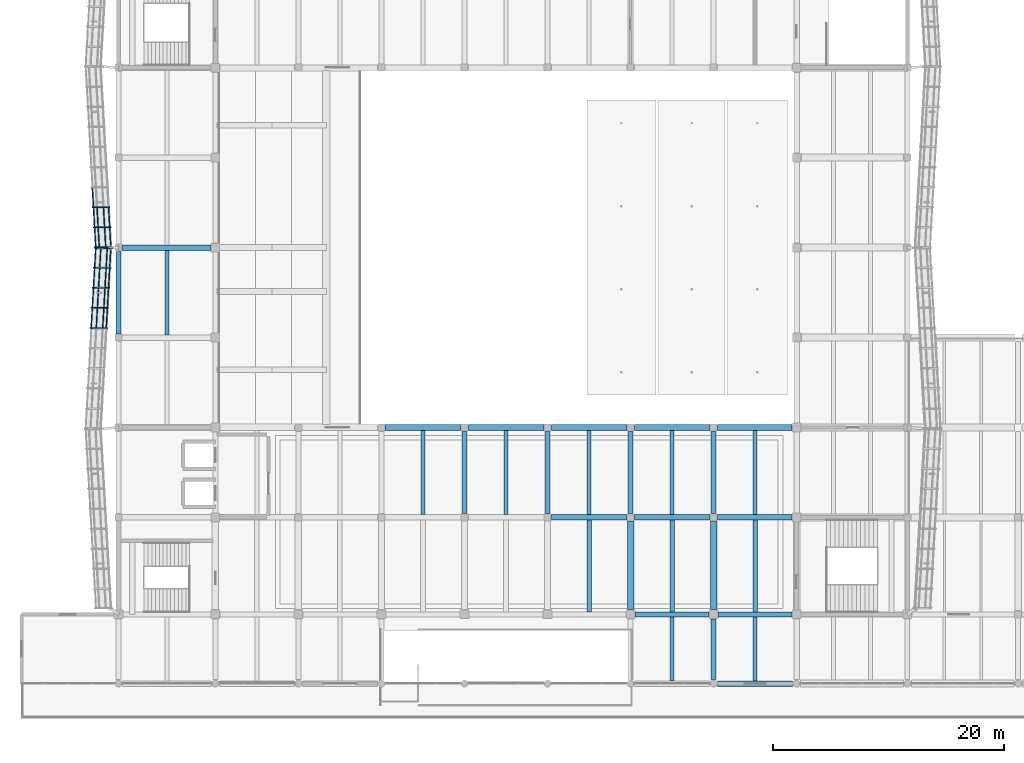
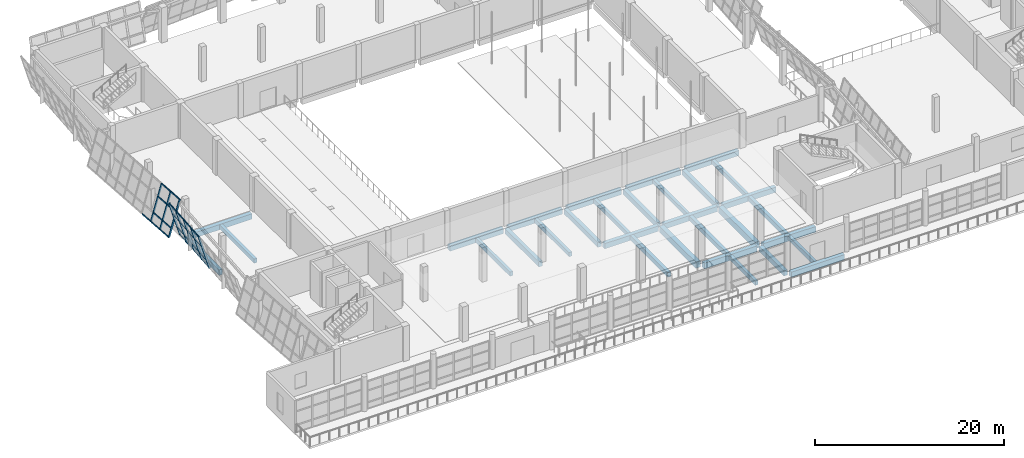
# One storey, part 12 of 71: 33 members, 31 beams, 2 elements without a shape of their own.
"""IFC4 building model written with IfcOpenShell, lengths in metres."""

from ifc_helpers import new_model, si_unit, direction, frame, origin, origin_2d, place, context, subcontext, project, spatial, rectangle, hollow_rectangle, extrude, material, material_profile, profile_set, type_object, element, aggregate, save


model = new_model("IFC4")

# Units and contexts
model_context = context("Model", 3, precision=1e-05, world=origin(), true_north=direction((0.0, 1.0)))
body_context = subcontext(model_context, "Body", "Model", "MODEL_VIEW")
ifc_project = project(units=[si_unit("LENGTHUNIT", "METRE"), si_unit("AREAUNIT", "SQUARE_METRE"), si_unit("VOLUMEUNIT", "CUBIC_METRE"), si_unit("PLANEANGLEUNIT", "RADIAN"), si_unit("MASSUNIT", "GRAM", prefix="KILO")], contexts=[model_context])

# Site, building, storey
site_placement = place(None, origin())
site = spatial("IfcSite", under=ifc_project, at=site_placement, CompositionType="ELEMENT")
building_placement = place(site_placement, origin())
building = spatial("IfcBuilding", under=site, at=building_placement, Name="Pellamere Symphony Hall", CompositionType="ELEMENT")
storey_placement = place(building_placement, frame((0.0, 0.0, 15.0)))
storey = spatial("IfcBuildingStorey", under=building, at=storey_placement, Name="L03", CompositionType="ELEMENT", Elevation=15.0)

# Curtain wall, members
ifc_material_1 = material(Name="Thermally Broken Anodised Aluminium 6063-T6 Curtain Wall", Category="aluminium")
curtain_wall_type = type_object("IfcCurtainWallType", Name="Curtain Wall CW-01 (Tilted Faceted Crystal Low-Iron Curtain Wall)", PredefinedType="NOTDEFINED", material=ifc_material_1)
curtain_wall_1_placement = place(storey_placement, origin())
curtain_wall_1 = element("IfcCurtainWall", 1, at=curtain_wall_1_placement, inside=storey, type_object=curtain_wall_type, Name="Crystal Faceted Curtain Wall CW-CR16 (L03)", PredefinedType="NOTDEFINED")
ifc_material_2 = material(Name="Anodised Architectural Aluminium 6063-T6", Category="aluminium")
ifc_material_profile_1 = material_profile(ifc_material_2, hollow_rectangle(XDim=0.074951171875, YDim=0.219970703125, WallThickness=0.0048828125, at=origin_2d()), Name="ALU-M75X220X5")
ifc_profile_set_1 = profile_set([ifc_material_profile_1], Name="Anodised Architectural Aluminium 6063-T6")
member_type_1 = type_object("IfcMemberType", Name="Curtain Wall Mullion ML-01 ALU-M75X220X5", PredefinedType="MULLION", material=ifc_profile_set_1)
member_1_placement = place(storey_placement, frame((48.217041015625, 65.288818359375, 0.0), z_axis=(0.284024567884, 0.0, 0.95881700279), x_axis=(-0.054873944304, 0.99836096977, 0.016254976991)))
member_1 = element("IfcMember", 2, at=member_1_placement, type_object=member_type_1, Name="CW1-045 crystal mullion 8", PredefinedType="MULLION", context=body_context, shape_type="SweptSolid", body=[
    extrude(hollow_rectangle(XDim=0.074951171875, YDim=0.219970703125, WallThickness=0.0048828125, at=origin_2d()), origin(), (0.0, 0.0, 1.0), 4.693359375),
])
member_2_placement = place(storey_placement, frame((48.31689453125, 63.54443359375, 0.0), z_axis=(0.284024567884, 0.0, 0.95881700279), x_axis=(-0.054873944304, 0.99836096977, 0.016254976991)))
member_2 = element("IfcMember", 3, at=member_2_placement, type_object=member_type_1, Name="CW1-045 crystal mullion 9", PredefinedType="MULLION", context=body_context, shape_type="SweptSolid", body=[
    extrude(hollow_rectangle(XDim=0.074951171875, YDim=0.219970703125, WallThickness=0.0048828125, at=origin_2d()), origin(), (0.0, 0.0, 1.0), 4.693359375),
])
member_3_placement = place(storey_placement, frame((48.414794921875, 61.83740234375, 0.0), z_axis=(0.284024567884, 0.0, 0.95881700279), x_axis=(-0.054873944304, 0.99836096977, 0.016254976991)))
member_3 = element("IfcMember", 4, at=member_3_placement, type_object=member_type_1, Name="CW1-045 crystal mullion 10", PredefinedType="MULLION", context=body_context, shape_type="SweptSolid", body=[
    extrude(hollow_rectangle(XDim=0.074951171875, YDim=0.219970703125, WallThickness=0.0048828125, at=origin_2d()), origin(), (0.0, 0.0, 1.0), 4.693359375),
])

curtain_wall_2_placement = place(storey_placement, origin())
curtain_wall_2 = element("IfcCurtainWall", 5, at=curtain_wall_2_placement, inside=storey, type_object=curtain_wall_type, Name="Crystal Faceted Curtain Wall CW-CR17 (L03)", PredefinedType="NOTDEFINED")
member_4_placement = place(storey_placement, frame((49.747802734375, 61.762451171875, 0.0), z_axis=(-0.284024567884, 0.0, 0.95881700279), x_axis=(-0.054873944304, -0.99836096977, -0.016254976991)))
member_4 = element("IfcMember", 6, at=member_4_placement, type_object=member_type_1, Name="CW1-050 crystal mullion 1", PredefinedType="MULLION", context=body_context, shape_type="SweptSolid", body=[
    extrude(hollow_rectangle(XDim=0.074951171875, YDim=0.219970703125, WallThickness=0.0048828125, at=origin_2d()), origin(), (0.0, 0.0, 1.0), 4.693359375),
])
member_5_placement = place(storey_placement, frame((49.64990234375, 60.0556640625, 0.0), z_axis=(-0.284024567884, 0.0, 0.95881700279), x_axis=(-0.054873944304, -0.99836096977, -0.016254976991)))
member_5 = element("IfcMember", 7, at=member_5_placement, type_object=member_type_1, Name="CW1-050 crystal mullion 2", PredefinedType="MULLION", context=body_context, shape_type="SweptSolid", body=[
    extrude(hollow_rectangle(XDim=0.074951171875, YDim=0.219970703125, WallThickness=0.0048828125, at=origin_2d()), origin(), (0.0, 0.0, 1.0), 4.693359375),
])
member_6_placement = place(storey_placement, frame((49.550048828125, 58.31103515625, 0.0), z_axis=(-0.284024567884, 0.0, 0.95881700279), x_axis=(-0.054873944304, -0.99836096977, -0.016254976991)))
member_6 = element("IfcMember", 8, at=member_6_placement, type_object=member_type_1, Name="CW1-050 crystal mullion 3", PredefinedType="MULLION", context=body_context, shape_type="SweptSolid", body=[
    extrude(hollow_rectangle(XDim=0.074951171875, YDim=0.219970703125, WallThickness=0.0048828125, at=origin_2d()), origin(), (0.0, 0.0, 1.0), 4.693359375),
])
member_7_placement = place(storey_placement, frame((49.449951171875, 56.566650390625, 0.0), z_axis=(-0.284024567884, 0.0, 0.95881700279), x_axis=(-0.054873944304, -0.99836096977, -0.016254976991)))
member_7 = element("IfcMember", 9, at=member_7_placement, type_object=member_type_1, Name="CW1-050 crystal mullion 4", PredefinedType="MULLION", context=body_context, shape_type="SweptSolid", body=[
    extrude(hollow_rectangle(XDim=0.074951171875, YDim=0.219970703125, WallThickness=0.0048828125, at=origin_2d()), origin(), (0.0, 0.0, 1.0), 4.693359375),
])
member_8_placement = place(storey_placement, frame((49.35009765625, 54.822265625, 0.0), z_axis=(-0.284024567884, 0.0, 0.95881700279), x_axis=(-0.054873944304, -0.99836096977, -0.016254976991)))
member_8 = element("IfcMember", 10, at=member_8_placement, type_object=member_type_1, Name="CW1-050 crystal mullion 5", PredefinedType="MULLION", context=body_context, shape_type="SweptSolid", body=[
    extrude(hollow_rectangle(XDim=0.074951171875, YDim=0.219970703125, WallThickness=0.0048828125, at=origin_2d()), origin(), (0.0, 0.0, 1.0), 4.693359375),
])

# Member
ifc_material_profile_2 = material_profile(ifc_material_2, hollow_rectangle(XDim=0.074951171875, YDim=0.179931640625, WallThickness=0.0048828125, at=origin_2d()), Name="ALU-T75X180X5")
ifc_profile_set_2 = profile_set([ifc_material_profile_2], Name="Anodised Architectural Aluminium 6063-T6")
member_type_2 = type_object("IfcMemberType", Name="Curtain Wall Transom TR-01 ALU-T75X180X5", PredefinedType="USERDEFINED", material=ifc_profile_set_2)
member_9_placement = place(storey_placement, frame((48.1298828125, 66.995849609375, 0.035888671875), z_axis=(0.057232737422, -0.998360863499, 0.0), x_axis=(0.998360863499, 0.057232737422, 0.0)))
member_9 = element("IfcMember", 11, at=member_9_placement, type_object=member_type_2, Name="CW1-045 crystal transom 7.1", ObjectType="TRANSOM", PredefinedType="USERDEFINED", context=body_context, shape_type="SweptSolid", body=[
    extrude(hollow_rectangle(XDim=0.074951171875, YDim=0.179931640625, WallThickness=0.0048828125, at=origin_2d()), origin(), (0.0, 0.0, 1.0), 1.672119140625),
])

member_10_placement = place(storey_placement, frame((48.229736328125, 65.25146484375, 0.035888671875), z_axis=(0.057224396245, -0.998361341637, 0.0), x_axis=(0.998361341637, 0.057224396245, 0.0)))
member_10 = element("IfcMember", 12, at=member_10_placement, type_object=member_type_2, Name="CW1-045 crystal transom 8.1", ObjectType="TRANSOM", PredefinedType="USERDEFINED", context=body_context, shape_type="SweptSolid", body=[
    extrude(hollow_rectangle(XDim=0.074951171875, YDim=0.179931640625, WallThickness=0.0048828125, at=origin_2d()), origin(), (0.0, 0.0, 1.0), 1.67236328125),
])

member_11_placement = place(storey_placement, frame((48.5390625, 65.25146484375, 1.080078125), z_axis=(0.057224396245, -0.998361341637, 0.0), x_axis=(0.998361341637, 0.057224396245, 0.0)))
member_11 = element("IfcMember", 13, at=member_11_placement, type_object=member_type_2, Name="CW1-045 crystal transom 8.2", ObjectType="TRANSOM", PredefinedType="USERDEFINED", context=body_context, shape_type="SweptSolid", body=[
    extrude(hollow_rectangle(XDim=0.074951171875, YDim=0.179931640625, WallThickness=0.0048828125, at=origin_2d()), origin(), (0.0, 0.0, 1.0), 1.67236328125),
])

member_12_placement = place(storey_placement, frame((49.098876953125, 65.25146484375, 2.969970703125), z_axis=(0.057224396245, -0.998361341637, 0.0), x_axis=(0.998361341637, 0.057224396245, 0.0)))
member_12 = element("IfcMember", 14, at=member_12_placement, type_object=member_type_2, Name="CW1-045 crystal transom 8.3", ObjectType="TRANSOM", PredefinedType="USERDEFINED", context=body_context, shape_type="SweptSolid", body=[
    extrude(hollow_rectangle(XDim=0.074951171875, YDim=0.179931640625, WallThickness=0.0048828125, at=origin_2d()), origin(), (0.0, 0.0, 1.0), 1.67236328125),
])

member_13_placement = place(storey_placement, frame((49.54150390625, 65.25146484375, 4.464111328125), z_axis=(0.057224396245, -0.998361341637, 0.0), x_axis=(0.998361341637, 0.057224396245, 0.0)))
member_13 = element("IfcMember", 15, at=member_13_placement, type_object=member_type_2, Name="CW1-045 crystal transom 8.4", ObjectType="TRANSOM", PredefinedType="USERDEFINED", context=body_context, shape_type="SweptSolid", body=[
    extrude(hollow_rectangle(XDim=0.074951171875, YDim=0.179931640625, WallThickness=0.0048828125, at=origin_2d()), origin(), (0.0, 0.0, 1.0), 1.67236328125),
])

member_14_placement = place(storey_placement, frame((48.329833984375, 63.507080078125, 0.035888671875), z_axis=(0.057190120561, -0.998363305671, 0.0), x_axis=(0.998363305671, 0.057190120561, 0.0)))
member_14 = element("IfcMember", 16, at=member_14_placement, type_object=member_type_2, Name="CW1-045 crystal transom 9.1", ObjectType="TRANSOM", PredefinedType="USERDEFINED", context=body_context, shape_type="SweptSolid", body=[
    extrude(hollow_rectangle(XDim=0.074951171875, YDim=0.179931640625, WallThickness=0.0048828125, at=origin_2d()), origin(), (0.0, 0.0, 1.0), 1.635009765625),
])

member_15_placement = place(storey_placement, frame((48.63916015625, 63.507080078125, 1.080078125), z_axis=(0.057190120561, -0.998363305671, 0.0), x_axis=(0.998363305671, 0.057190120561, 0.0)))
member_15 = element("IfcMember", 17, at=member_15_placement, type_object=member_type_2, Name="CW1-045 crystal transom 9.2", ObjectType="TRANSOM", PredefinedType="USERDEFINED", context=body_context, shape_type="SweptSolid", body=[
    extrude(hollow_rectangle(XDim=0.074951171875, YDim=0.179931640625, WallThickness=0.0048828125, at=origin_2d()), origin(), (0.0, 0.0, 1.0), 1.635009765625),
])

member_16_placement = place(storey_placement, frame((49.198974609375, 63.507080078125, 2.969970703125), z_axis=(0.057190120561, -0.998363305671, 0.0), x_axis=(0.998363305671, 0.057190120561, 0.0)))
member_16 = element("IfcMember", 18, at=member_16_placement, type_object=member_type_2, Name="CW1-045 crystal transom 9.3", ObjectType="TRANSOM", PredefinedType="USERDEFINED", context=body_context, shape_type="SweptSolid", body=[
    extrude(hollow_rectangle(XDim=0.074951171875, YDim=0.179931640625, WallThickness=0.0048828125, at=origin_2d()), origin(), (0.0, 0.0, 1.0), 1.635009765625),
])

member_17_placement = place(storey_placement, frame((49.6416015625, 63.507080078125, 4.464111328125), z_axis=(0.057190120561, -0.998363305671, 0.0), x_axis=(0.998363305671, 0.057190120561, 0.0)))
member_17 = element("IfcMember", 19, at=member_17_placement, type_object=member_type_2, Name="CW1-045 crystal transom 9.4", ObjectType="TRANSOM", PredefinedType="USERDEFINED", context=body_context, shape_type="SweptSolid", body=[
    extrude(hollow_rectangle(XDim=0.074951171875, YDim=0.179931640625, WallThickness=0.0048828125, at=origin_2d()), origin(), (0.0, 0.0, 1.0), 1.635009765625),
])

aggregate(curtain_wall_1, [member_1, member_2, member_3, member_9, member_10, member_11, member_12, member_13, member_14, member_15, member_16, member_17])

member_18_placement = place(storey_placement, frame((49.735107421875, 61.72509765625, 0.035888671875), z_axis=(-0.057198647566, -0.998362817175, 0.0), x_axis=(0.998362817175, -0.057198647566, 0.0)))
member_18 = element("IfcMember", 20, at=member_18_placement, type_object=member_type_2, Name="CW1-050 crystal transom 1.1", ObjectType="TRANSOM", PredefinedType="USERDEFINED", context=body_context, shape_type="SweptSolid", body=[
    extrude(hollow_rectangle(XDim=0.074951171875, YDim=0.179931640625, WallThickness=0.0048828125, at=origin_2d()), origin(), (0.0, 0.0, 1.0), 1.634765625),
])

member_19_placement = place(storey_placement, frame((49.42578125, 61.72509765625, 1.080078125), z_axis=(-0.057198647566, -0.998362817175, 0.0), x_axis=(0.998362817175, -0.057198647566, 0.0)))
member_19 = element("IfcMember", 21, at=member_19_placement, type_object=member_type_2, Name="CW1-050 crystal transom 1.2", ObjectType="TRANSOM", PredefinedType="USERDEFINED", context=body_context, shape_type="SweptSolid", body=[
    extrude(hollow_rectangle(XDim=0.074951171875, YDim=0.179931640625, WallThickness=0.0048828125, at=origin_2d()), origin(), (0.0, 0.0, 1.0), 1.634765625),
])

member_20_placement = place(storey_placement, frame((48.865966796875, 61.72509765625, 2.969970703125), z_axis=(-0.057198647566, -0.998362817175, 0.0), x_axis=(0.998362817175, -0.057198647566, 0.0)))
member_20 = element("IfcMember", 22, at=member_20_placement, type_object=member_type_2, Name="CW1-050 crystal transom 1.3", ObjectType="TRANSOM", PredefinedType="USERDEFINED", context=body_context, shape_type="SweptSolid", body=[
    extrude(hollow_rectangle(XDim=0.074951171875, YDim=0.179931640625, WallThickness=0.0048828125, at=origin_2d()), origin(), (0.0, 0.0, 1.0), 1.634765625),
])

member_21_placement = place(storey_placement, frame((48.42333984375, 61.72509765625, 4.464111328125), z_axis=(-0.057198647566, -0.998362817175, 0.0), x_axis=(0.998362817175, -0.057198647566, 0.0)))
member_21 = element("IfcMember", 23, at=member_21_placement, type_object=member_type_2, Name="CW1-050 crystal transom 1.4", ObjectType="TRANSOM", PredefinedType="USERDEFINED", context=body_context, shape_type="SweptSolid", body=[
    extrude(hollow_rectangle(XDim=0.074951171875, YDim=0.179931640625, WallThickness=0.0048828125, at=origin_2d()), origin(), (0.0, 0.0, 1.0), 1.634765625),
])

member_22_placement = place(storey_placement, frame((49.63720703125, 60.01806640625, 0.035888671875), z_axis=(-0.057232737422, -0.998360863499, 0.0), x_axis=(0.998360863499, -0.057232737422, 0.0)))
member_22 = element("IfcMember", 24, at=member_22_placement, type_object=member_type_2, Name="CW1-050 crystal transom 2.1", ObjectType="TRANSOM", PredefinedType="USERDEFINED", context=body_context, shape_type="SweptSolid", body=[
    extrude(hollow_rectangle(XDim=0.074951171875, YDim=0.179931640625, WallThickness=0.0048828125, at=origin_2d()), origin(), (0.0, 0.0, 1.0), 1.672119140625),
])

member_23_placement = place(storey_placement, frame((49.327880859375, 60.01806640625, 1.080078125), z_axis=(-0.057232737422, -0.998360863499, 0.0), x_axis=(0.998360863499, -0.057232737422, 0.0)))
member_23 = element("IfcMember", 25, at=member_23_placement, type_object=member_type_2, Name="CW1-050 crystal transom 2.2", ObjectType="TRANSOM", PredefinedType="USERDEFINED", context=body_context, shape_type="SweptSolid", body=[
    extrude(hollow_rectangle(XDim=0.074951171875, YDim=0.179931640625, WallThickness=0.0048828125, at=origin_2d()), origin(), (0.0, 0.0, 1.0), 1.672119140625),
])

member_24_placement = place(storey_placement, frame((48.76806640625, 60.01806640625, 2.969970703125), z_axis=(-0.057232737422, -0.998360863499, 0.0), x_axis=(0.998360863499, -0.057232737422, 0.0)))
member_24 = element("IfcMember", 26, at=member_24_placement, type_object=member_type_2, Name="CW1-050 crystal transom 2.3", ObjectType="TRANSOM", PredefinedType="USERDEFINED", context=body_context, shape_type="SweptSolid", body=[
    extrude(hollow_rectangle(XDim=0.074951171875, YDim=0.179931640625, WallThickness=0.0048828125, at=origin_2d()), origin(), (0.0, 0.0, 1.0), 1.672119140625),
])

member_25_placement = place(storey_placement, frame((48.325439453125, 60.01806640625, 4.464111328125), z_axis=(-0.057232737422, -0.998360863499, 0.0), x_axis=(0.998360863499, -0.057232737422, 0.0)))
member_25 = element("IfcMember", 27, at=member_25_placement, type_object=member_type_2, Name="CW1-050 crystal transom 2.4", ObjectType="TRANSOM", PredefinedType="USERDEFINED", context=body_context, shape_type="SweptSolid", body=[
    extrude(hollow_rectangle(XDim=0.074951171875, YDim=0.179931640625, WallThickness=0.0048828125, at=origin_2d()), origin(), (0.0, 0.0, 1.0), 1.672119140625),
])

member_26_placement = place(storey_placement, frame((49.537109375, 58.273681640625, 0.035888671875), z_axis=(-0.057224396245, -0.998361341637, 0.0), x_axis=(0.998361341637, -0.057224396245, 0.0)))
member_26 = element("IfcMember", 28, at=member_26_placement, type_object=member_type_2, Name="CW1-050 crystal transom 3.1", ObjectType="TRANSOM", PredefinedType="USERDEFINED", context=body_context, shape_type="SweptSolid", body=[
    extrude(hollow_rectangle(XDim=0.074951171875, YDim=0.179931640625, WallThickness=0.0048828125, at=origin_2d()), origin(), (0.0, 0.0, 1.0), 1.67236328125),
])

member_27_placement = place(storey_placement, frame((49.22802734375, 58.273681640625, 1.080078125), z_axis=(-0.057224396245, -0.998361341637, 0.0), x_axis=(0.998361341637, -0.057224396245, 0.0)))
member_27 = element("IfcMember", 29, at=member_27_placement, type_object=member_type_2, Name="CW1-050 crystal transom 3.2", ObjectType="TRANSOM", PredefinedType="USERDEFINED", context=body_context, shape_type="SweptSolid", body=[
    extrude(hollow_rectangle(XDim=0.074951171875, YDim=0.179931640625, WallThickness=0.0048828125, at=origin_2d()), origin(), (0.0, 0.0, 1.0), 1.67236328125),
])

member_28_placement = place(storey_placement, frame((48.66796875, 58.273681640625, 2.969970703125), z_axis=(-0.057224396245, -0.998361341637, 0.0), x_axis=(0.998361341637, -0.057224396245, 0.0)))
member_28 = element("IfcMember", 30, at=member_28_placement, type_object=member_type_2, Name="CW1-050 crystal transom 3.3", ObjectType="TRANSOM", PredefinedType="USERDEFINED", context=body_context, shape_type="SweptSolid", body=[
    extrude(hollow_rectangle(XDim=0.074951171875, YDim=0.179931640625, WallThickness=0.0048828125, at=origin_2d()), origin(), (0.0, 0.0, 1.0), 1.67236328125),
])

member_29_placement = place(storey_placement, frame((48.2255859375, 58.273681640625, 4.464111328125), z_axis=(-0.057224396245, -0.998361341637, 0.0), x_axis=(0.998361341637, -0.057224396245, 0.0)))
member_29 = element("IfcMember", 31, at=member_29_placement, type_object=member_type_2, Name="CW1-050 crystal transom 3.4", ObjectType="TRANSOM", PredefinedType="USERDEFINED", context=body_context, shape_type="SweptSolid", body=[
    extrude(hollow_rectangle(XDim=0.074951171875, YDim=0.179931640625, WallThickness=0.0048828125, at=origin_2d()), origin(), (0.0, 0.0, 1.0), 1.67236328125),
])

member_30_placement = place(storey_placement, frame((49.437255859375, 56.529296875, 0.035888671875), z_axis=(-0.057224396245, -0.998361341637, 0.0), x_axis=(0.998361341637, -0.057224396245, 0.0)))
member_30 = element("IfcMember", 32, at=member_30_placement, type_object=member_type_2, Name="CW1-050 crystal transom 4.1", ObjectType="TRANSOM", PredefinedType="USERDEFINED", context=body_context, shape_type="SweptSolid", body=[
    extrude(hollow_rectangle(XDim=0.074951171875, YDim=0.179931640625, WallThickness=0.0048828125, at=origin_2d()), origin(), (0.0, 0.0, 1.0), 1.67236328125),
])

member_31_placement = place(storey_placement, frame((49.1279296875, 56.529296875, 1.080078125), z_axis=(-0.057224396245, -0.998361341637, 0.0), x_axis=(0.998361341637, -0.057224396245, 0.0)))
member_31 = element("IfcMember", 33, at=member_31_placement, type_object=member_type_2, Name="CW1-050 crystal transom 4.2", ObjectType="TRANSOM", PredefinedType="USERDEFINED", context=body_context, shape_type="SweptSolid", body=[
    extrude(hollow_rectangle(XDim=0.074951171875, YDim=0.179931640625, WallThickness=0.0048828125, at=origin_2d()), origin(), (0.0, 0.0, 1.0), 1.67236328125),
])

member_32_placement = place(storey_placement, frame((48.568115234375, 56.529296875, 2.969970703125), z_axis=(-0.057224396245, -0.998361341637, 0.0), x_axis=(0.998361341637, -0.057224396245, 0.0)))
member_32 = element("IfcMember", 34, at=member_32_placement, type_object=member_type_2, Name="CW1-050 crystal transom 4.3", ObjectType="TRANSOM", PredefinedType="USERDEFINED", context=body_context, shape_type="SweptSolid", body=[
    extrude(hollow_rectangle(XDim=0.074951171875, YDim=0.179931640625, WallThickness=0.0048828125, at=origin_2d()), origin(), (0.0, 0.0, 1.0), 1.67236328125),
])

member_33_placement = place(storey_placement, frame((48.12548828125, 56.529296875, 4.464111328125), z_axis=(-0.057224396245, -0.998361341637, 0.0), x_axis=(0.998361341637, -0.057224396245, 0.0)))
member_33 = element("IfcMember", 35, at=member_33_placement, type_object=member_type_2, Name="CW1-050 crystal transom 4.4", ObjectType="TRANSOM", PredefinedType="USERDEFINED", context=body_context, shape_type="SweptSolid", body=[
    extrude(hollow_rectangle(XDim=0.074951171875, YDim=0.179931640625, WallThickness=0.0048828125, at=origin_2d()), origin(), (0.0, 0.0, 1.0), 1.67236328125),
])

aggregate(curtain_wall_2, [member_4, member_5, member_6, member_7, member_8, member_18, member_19, member_20, member_21, member_22, member_23, member_24, member_25, member_26, member_27, member_28, member_29, member_30, member_31, member_32, member_33])

# Beams
ifc_material_3 = material(Name="Concrete 40 MPa", Category="concrete")
ifc_material_profile_3 = material_profile(ifc_material_3, rectangle(XDim=0.550048828125, YDim=0.800048828125, at=origin_2d()), Name="RC 550x800")
ifc_profile_set_3 = profile_set([ifc_material_profile_3], Name="Concrete 40 MPa")
beam_type_1 = type_object("IfcBeamType", Name="RC CB-05 550x800", PredefinedType="BEAM", material=ifc_profile_set_3)
for number, where, z_axis, x_axis, name in (
    (36, (94.800048828125, 30.39990234375, -0.659912109375), (0.0, 1.0, 0.0), (-1.0, 0.0, 0.0), "Girder CB-05-Y1640 (L03)"),
    (37, (102.0, 30.39990234375, -0.659912109375), (0.0, 1.0, 0.0), (-1.0, 0.0, 0.0), "Girder CB-05-Y1645 (L03)"),
):
    element("IfcBeam", number, at=place(storey_placement, frame(where, z_axis=z_axis, x_axis=x_axis)), inside=storey, type_object=beam_type_1, Name=name, PredefinedType="BEAM", context=body_context, shape_type="SweptSolid", body=[
        extrude(rectangle(XDim=0.550048828125, YDim=0.800048828125, at=origin_2d()), origin(), (0.0, 0.0, 1.0), 7.675048828125),
    ])
ifc_material_profile_4 = material_profile(ifc_material_3, rectangle(XDim=0.449951171875, YDim=0.64990234375, at=origin_2d()), Name="RC 450x650")
ifc_profile_set_4 = profile_set([ifc_material_profile_4], Name="Concrete 40 MPa")
beam_type_2 = type_object("IfcBeamType", Name="RC CB-08 450x650", PredefinedType="BEAM", material=ifc_profile_set_4)
for number, where, z_axis, x_axis, name in (
    (38, (80.39990234375, 38.72509765625, -0.5849609375), (0.0, 1.0, 0.0), (-1.0, 0.0, 0.0), "Girder CB-08-Y1632 (L03)"),
    (39, (87.60009765625, 38.72509765625, -0.5849609375), (0.0, 1.0, 0.0), (-1.0, 0.0, 0.0), "Girder CB-08-Y1636 (L03)"),
    (40, (94.800048828125, 38.72509765625, -0.5849609375), (0.0, 1.0, 0.0), (-1.0, 0.0, 0.0), "Girder CB-08-Y1641 (L03)"),
):
    element("IfcBeam", number, at=place(storey_placement, frame(where, z_axis=z_axis, x_axis=x_axis)), inside=storey, type_object=beam_type_2, Name=name, PredefinedType="BEAM", context=body_context, shape_type="SweptSolid", body=[
        extrude(rectangle(XDim=0.449951171875, YDim=0.64990234375, at=origin_2d()), origin(), (0.0, 0.0, 1.0), 7.14990234375),
    ])
beam_1_placement = place(storey_placement, frame((102.0, 24.35009765625, -0.5849609375), z_axis=(0.0, 1.0, 0.0), x_axis=(-1.0, 0.0, 0.0)))
element("IfcBeam", 41, at=beam_1_placement, inside=storey, type_object=beam_type_2, Name="Girder CB-08-Y1644 (L03)", PredefinedType="BEAM", context=body_context, shape_type="SweptSolid", body=[
    extrude(rectangle(XDim=0.449951171875, YDim=0.64990234375, at=origin_2d()), origin(), (0.0, 0.0, 1.0), 5.25),
])
beam_2_placement = place(storey_placement, frame((102.0, 38.72509765625, -0.5849609375), z_axis=(0.0, 1.0, 0.0), x_axis=(-1.0, 0.0, 0.0)))
element("IfcBeam", 42, at=beam_2_placement, inside=storey, type_object=beam_type_2, Name="Girder CB-08-Y1646 (L03)", PredefinedType="BEAM", context=body_context, shape_type="SweptSolid", body=[
    extrude(rectangle(XDim=0.449951171875, YDim=0.64990234375, at=origin_2d()), origin(), (0.0, 0.0, 1.0), 7.14990234375),
])
ifc_material_profile_5 = material_profile(ifc_material_3, rectangle(XDim=0.39990234375, YDim=0.60009765625, at=origin_2d()), Name="RC 400x600")
ifc_profile_set_5 = profile_set([ifc_material_profile_5], Name="Concrete 40 MPa")
beam_type_3 = type_object("IfcBeamType", Name="RC CB-09 400x600", PredefinedType="BEAM", material=ifc_profile_set_5)
for number, where, z_axis, x_axis, name in (
    (43, (91.199951171875, 30.22509765625, -0.574951171875), (0.0, 1.0, 0.0), (-1.0, 0.0, 0.0), "Secondary Floor Beam CB-09-M1104 (L03)"),
    (44, (98.39990234375, 30.22509765625, -0.574951171875), (0.0, 1.0, 0.0), (-1.0, 0.0, 0.0), "Secondary Floor Beam CB-09-M1204 (L03)"),
    (45, (105.60009765625, 30.22509765625, -0.574951171875), (0.0, 1.0, 0.0), (-1.0, 0.0, 0.0), "Secondary Floor Beam CB-09-M1304 (L03)"),
):
    element("IfcBeam", number, at=place(storey_placement, frame(where, z_axis=z_axis, x_axis=x_axis)), inside=storey, type_object=beam_type_3, Name=name, PredefinedType="BEAM", context=body_context, shape_type="SweptSolid", body=[
        extrude(rectangle(XDim=0.39990234375, YDim=0.60009765625, at=origin_2d()), origin(), (0.0, 0.0, 1.0), 7.934814453125),
    ])
ifc_material_4 = material(Name="Concrete 35 MPa", Category="concrete")
ifc_material_profile_6 = material_profile(ifc_material_4, rectangle(XDim=0.35009765625, YDim=0.550048828125, at=origin_2d()), Name="RC 350x550")
ifc_profile_set_6 = profile_set([ifc_material_profile_6], Name="Concrete 35 MPa")
beam_type_4 = type_object("IfcBeamType", Name="RC CB-10 350x550", PredefinedType="BEAM", material=ifc_profile_set_6)
for number, where, z_axis, x_axis, name in (
    (46, (54.60009765625, 54.239990234375, -0.550048828125), (0.0, 1.0, 0.0), (-1.0, 0.0, 0.0), "Secondary Floor Beam CB-10-M0607 (L03)"),
    (47, (76.800048828125, 38.639892578125, -0.550048828125), (0.0, 1.0, 0.0), (-1.0, 0.0, 0.0), "Secondary Floor Beam CB-10-M0905 (L03)"),
    (48, (84.0, 38.639892578125, -0.550048828125), (0.0, 1.0, 0.0), (-1.0, 0.0, 0.0), "Secondary Floor Beam CB-10-M1005 (L03)"),
    (49, (91.199951171875, 38.639892578125, -0.550048828125), (0.0, 1.0, 0.0), (-1.0, 0.0, 0.0), "Secondary Floor Beam CB-10-M1105 (L03)"),
):
    element("IfcBeam", number, at=place(storey_placement, frame(where, z_axis=z_axis, x_axis=x_axis)), inside=storey, type_object=beam_type_4, Name=name, PredefinedType="BEAM", context=body_context, shape_type="SweptSolid", body=[
        extrude(rectangle(XDim=0.35009765625, YDim=0.550048828125, at=origin_2d()), origin(), (0.0, 0.0, 1.0), 7.320068359375),
    ])
beam_3_placement = place(storey_placement, frame((98.39990234375, 24.239990234375, -0.550048828125), z_axis=(0.0, 1.0, 0.0), x_axis=(-1.0, 0.0, 0.0)))
element("IfcBeam", 50, at=beam_3_placement, inside=storey, type_object=beam_type_4, Name="Secondary Floor Beam CB-10-M1203 (L03)", PredefinedType="BEAM", context=body_context, shape_type="SweptSolid", body=[
    extrude(rectangle(XDim=0.35009765625, YDim=0.550048828125, at=origin_2d()), origin(), (0.0, 0.0, 1.0), 5.534912109375),
])
beam_4_placement = place(storey_placement, frame((98.39990234375, 38.639892578125, -0.550048828125), z_axis=(0.0, 1.0, 0.0), x_axis=(-1.0, 0.0, 0.0)))
element("IfcBeam", 51, at=beam_4_placement, inside=storey, type_object=beam_type_4, Name="Secondary Floor Beam CB-10-M1205 (L03)", PredefinedType="BEAM", context=body_context, shape_type="SweptSolid", body=[
    extrude(rectangle(XDim=0.35009765625, YDim=0.550048828125, at=origin_2d()), origin(), (0.0, 0.0, 1.0), 7.320068359375),
])
beam_5_placement = place(storey_placement, frame((105.60009765625, 24.239990234375, -0.550048828125), z_axis=(0.0, 1.0, 0.0), x_axis=(-1.0, 0.0, 0.0)))
element("IfcBeam", 52, at=beam_5_placement, inside=storey, type_object=beam_type_4, Name="Secondary Floor Beam CB-10-M1303 (L03)", PredefinedType="BEAM", context=body_context, shape_type="SweptSolid", body=[
    extrude(rectangle(XDim=0.35009765625, YDim=0.550048828125, at=origin_2d()), origin(), (0.0, 0.0, 1.0), 5.534912109375),
])
beam_6_placement = place(storey_placement, frame((105.60009765625, 38.639892578125, -0.550048828125), z_axis=(0.0, 1.0, 0.0), x_axis=(-1.0, 0.0, 0.0)))
element("IfcBeam", 53, at=beam_6_placement, inside=storey, type_object=beam_type_4, Name="Secondary Floor Beam CB-10-M1305 (L03)", PredefinedType="BEAM", context=body_context, shape_type="SweptSolid", body=[
    extrude(rectangle(XDim=0.35009765625, YDim=0.550048828125, at=origin_2d()), origin(), (0.0, 0.0, 1.0), 7.320068359375),
])
ifc_material_profile_7 = material_profile(ifc_material_3, rectangle(XDim=0.449951171875, YDim=0.75, at=origin_2d()), Name="RC 450x750")
ifc_profile_set_7 = profile_set([ifc_material_profile_7], Name="Concrete 40 MPa")
beam_type_5 = type_object("IfcBeamType", Name="RC CB-12 450x750", PredefinedType="SPANDREL", material=ifc_profile_set_7)
for number, where, z_axis, x_axis, name in (
    (54, (95.199951171875, 30.0, -0.635009765625), (1.0, 0.0, 0.0), (0.0, 1.0, 0.0), "Girder CB-12-X1512 (L03)"),
    (55, (102.39990234375, 30.0, -0.635009765625), (1.0, 0.0, 0.0), (0.0, 1.0, 0.0), "Girder CB-12-X1513 (L03)"),
):
    element("IfcBeam", number, at=place(storey_placement, frame(where, z_axis=z_axis, x_axis=x_axis)), inside=storey, type_object=beam_type_5, Name=name, PredefinedType="SPANDREL", context=body_context, shape_type="SweptSolid", body=[
        extrude(rectangle(XDim=0.449951171875, YDim=0.75, at=origin_2d()), origin(), (0.0, 0.0, 1.0), 6.400146484375),
    ])
ifc_material_profile_8 = material_profile(ifc_material_3, rectangle(XDim=0.39990234375, YDim=0.699951171875, at=origin_2d()), Name="RC 400x700")
ifc_profile_set_8 = profile_set([ifc_material_profile_8], Name="Concrete 40 MPa")
beam_type_6 = type_object("IfcBeamType", Name="RC CB-13 400x700", PredefinedType="SPANDREL", material=ifc_profile_set_8)
beam_7_placement = place(storey_placement, frame((50.39990234375, 54.324951171875, -0.610107421875), z_axis=(0.0, 1.0, 0.0), x_axis=(-1.0, 0.0, 0.0)))
element("IfcBeam", 56, at=beam_7_placement, inside=storey, type_object=beam_type_6, Name="Girder CB-13-Y1609 (L03)", PredefinedType="SPANDREL", context=body_context, shape_type="SweptSolid", body=[
    extrude(rectangle(XDim=0.39990234375, YDim=0.699951171875, at=origin_2d()), origin(), (0.0, 0.0, 1.0), 7.150146484375),
])
ifc_material_profile_9 = material_profile(ifc_material_3, rectangle(XDim=0.47998046875, YDim=0.679931640625, at=origin_2d()), Name="RC 480x680")
ifc_profile_set_9 = profile_set([ifc_material_profile_9], Name="Concrete 40 MPa")
beam_type_7 = type_object("IfcBeamType", Name="RC CB-19 480x680", PredefinedType="BEAM", material=ifc_profile_set_9)
beam_8_placement = place(storey_placement, frame((102.35009765625, 24.0, -0.60009765625), z_axis=(1.0, 0.0, 0.0), x_axis=(0.0, 1.0, 0.0)))
element("IfcBeam", 57, at=beam_8_placement, inside=storey, type_object=beam_type_7, Name="Girder CB-19-X1498 (L03)", PredefinedType="BEAM", context=body_context, shape_type="SweptSolid", body=[
    extrude(rectangle(XDim=0.47998046875, YDim=0.679931640625, at=origin_2d()), origin(), (0.0, 0.0, 1.0), 6.5),
])
for number, where, z_axis, x_axis, name in (
    (58, (87.925048828125, 38.39990234375, -0.60009765625), (1.0, 0.0, 0.0), (0.0, 1.0, 0.0), "Girder CB-19-X1526 (L03)"),
    (59, (95.125, 38.39990234375, -0.60009765625), (1.0, 0.0, 0.0), (0.0, 1.0, 0.0), "Girder CB-19-X1527 (L03)"),
):
    element("IfcBeam", number, at=place(storey_placement, frame(where, z_axis=z_axis, x_axis=x_axis)), inside=storey, type_object=beam_type_7, Name=name, PredefinedType="BEAM", context=body_context, shape_type="SweptSolid", body=[
        extrude(rectangle(XDim=0.47998046875, YDim=0.679931640625, at=origin_2d()), origin(), (0.0, 0.0, 1.0), 6.550048828125),
    ])
beam_9_placement = place(storey_placement, frame((102.324951171875, 38.39990234375, -0.60009765625), z_axis=(1.0, 0.0, 0.0), x_axis=(0.0, 1.0, 0.0)))
element("IfcBeam", 60, at=beam_9_placement, inside=storey, type_object=beam_type_7, Name="Girder CB-19-X1528 (L03)", PredefinedType="BEAM", context=body_context, shape_type="SweptSolid", body=[
    extrude(rectangle(XDim=0.47998046875, YDim=0.679931640625, at=origin_2d()), origin(), (0.0, 0.0, 1.0), 6.47509765625),
])
beam_10_placement = place(storey_placement, frame((73.52490234375, 46.199951171875, -0.60009765625), z_axis=(1.0, 0.0, 0.0), x_axis=(0.0, 1.0, 0.0)))
element("IfcBeam", 61, at=beam_10_placement, inside=storey, type_object=beam_type_7, Name="Girder CB-19-X1539 (L03)", PredefinedType="BEAM", context=body_context, shape_type="SweptSolid", body=[
    extrude(rectangle(XDim=0.47998046875, YDim=0.679931640625, at=origin_2d()), origin(), (0.0, 0.0, 1.0), 6.550048828125),
])
beam_11_placement = place(storey_placement, frame((80.72509765625, 46.199951171875, -0.60009765625), z_axis=(1.0, 0.0, 0.0), x_axis=(0.0, 1.0, 0.0)))
element("IfcBeam", 62, at=beam_11_placement, inside=storey, type_object=beam_type_7, Name="Girder CB-19-X1540 (L03)", PredefinedType="BEAM", context=body_context, shape_type="SweptSolid", body=[
    extrude(rectangle(XDim=0.47998046875, YDim=0.679931640625, at=origin_2d()), origin(), (0.0, 0.0, 1.0), 6.5498046875),
])
for number, where, z_axis, x_axis, name in (
    (63, (87.925048828125, 46.199951171875, -0.60009765625), (1.0, 0.0, 0.0), (0.0, 1.0, 0.0), "Girder CB-19-X1541 (L03)"),
    (64, (95.125, 46.199951171875, -0.60009765625), (1.0, 0.0, 0.0), (0.0, 1.0, 0.0), "Girder CB-19-X1542 (L03)"),
):
    element("IfcBeam", number, at=place(storey_placement, frame(where, z_axis=z_axis, x_axis=x_axis)), inside=storey, type_object=beam_type_7, Name=name, PredefinedType="BEAM", context=body_context, shape_type="SweptSolid", body=[
        extrude(rectangle(XDim=0.47998046875, YDim=0.679931640625, at=origin_2d()), origin(), (0.0, 0.0, 1.0), 6.550048828125),
    ])
beam_12_placement = place(storey_placement, frame((102.324951171875, 46.199951171875, -0.60009765625), z_axis=(1.0, 0.0, 0.0), x_axis=(0.0, 1.0, 0.0)))
element("IfcBeam", 65, at=beam_12_placement, inside=storey, type_object=beam_type_7, Name="Girder CB-19-X1543 (L03)", PredefinedType="BEAM", context=body_context, shape_type="SweptSolid", body=[
    extrude(rectangle(XDim=0.47998046875, YDim=0.679931640625, at=origin_2d()), origin(), (0.0, 0.0, 1.0), 6.47509765625),
])
beam_13_placement = place(storey_placement, frame((50.72509765625, 61.800048828125, -0.60009765625), z_axis=(1.0, 0.0, 0.0), x_axis=(0.0, 1.0, 0.0)))
element("IfcBeam", 66, at=beam_13_placement, inside=storey, type_object=beam_type_7, Name="Girder CB-19-X1559 (L03)", PredefinedType="BEAM", context=body_context, shape_type="SweptSolid", body=[
    extrude(rectangle(XDim=0.47998046875, YDim=0.679931640625, at=origin_2d()), origin(), (0.0, 0.0, 1.0), 7.6748046875),
])

save(model, "model.ifc")
